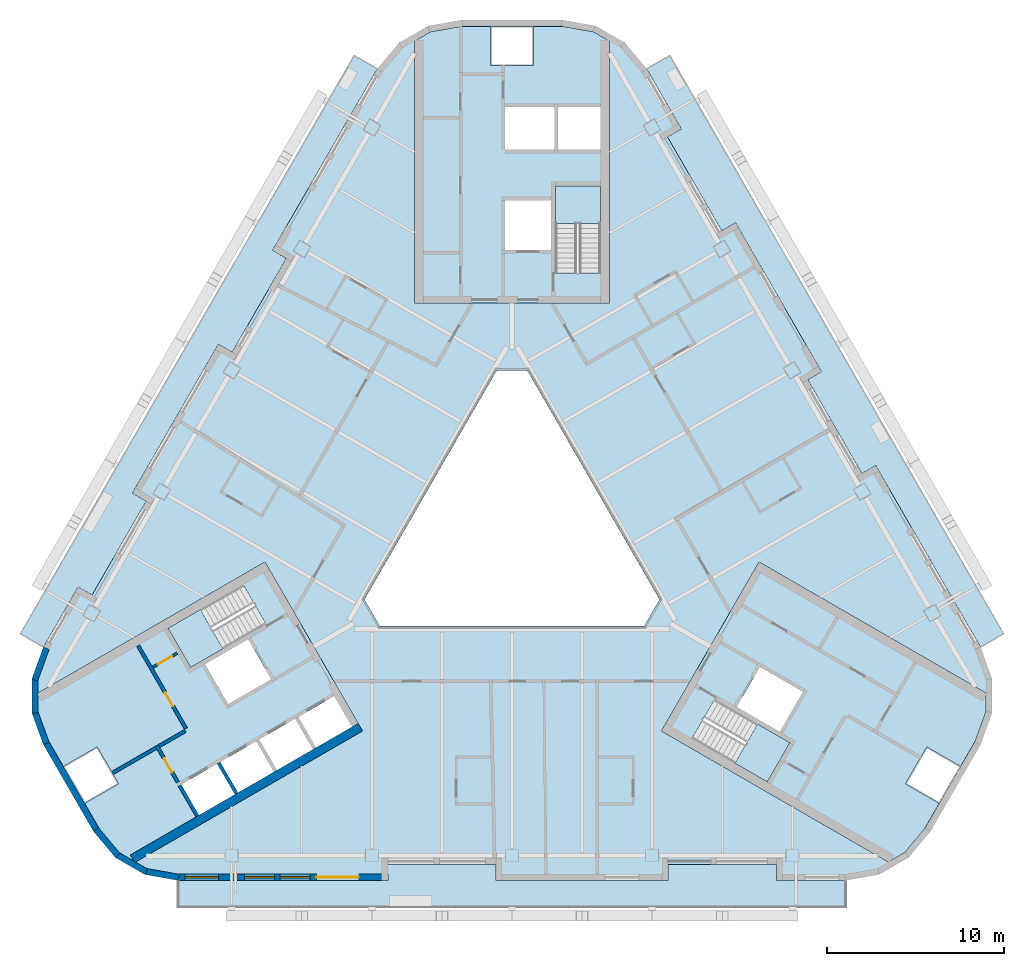
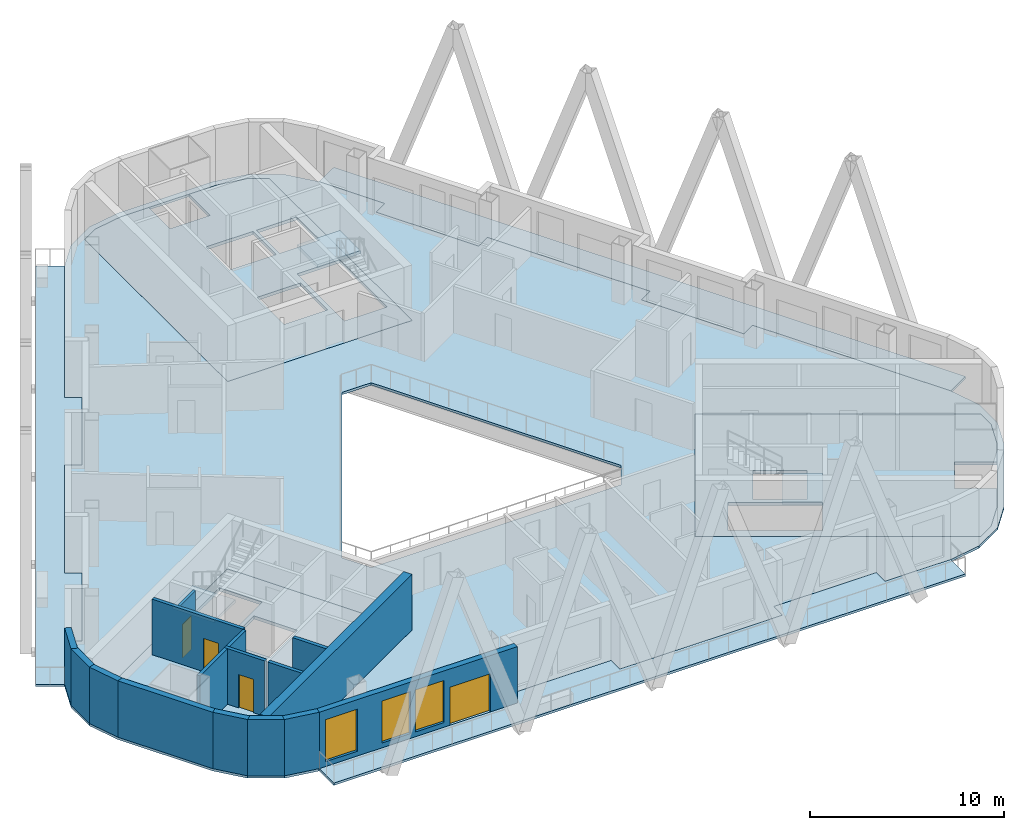
# One storey, part 2 of 13: 16 walls, 10 slabs, 4 doors, 3 windows, 7 openings, 3 elements without a shape of their own.
"""IFC4 building model written with IfcOpenShell, lengths in metres."""

from ifc_helpers import new_model, si_unit, direction, frame, frame_2d, origin, place, context, subcontext, project, spatial, polyline, rectangle, outline, extrude, material, layer, layer_set, type_object, element, fill, aggregate, save


model = new_model("IFC4")

# Units and contexts
model_context = context("Model", 3, precision=1e-05, world=origin(), true_north=direction((0.0, 1.0)))
body_context = subcontext(model_context, "Body", "Model", "MODEL_VIEW")
ifc_project = project(units=[si_unit("LENGTHUNIT", "METRE"), si_unit("AREAUNIT", "SQUARE_METRE"), si_unit("VOLUMEUNIT", "CUBIC_METRE"), si_unit("PLANEANGLEUNIT", "RADIAN"), si_unit("MASSUNIT", "GRAM", prefix="KILO")], contexts=[model_context])

# Site, building, storey
site_placement = place(None, origin())
site = spatial("IfcSite", under=ifc_project, at=site_placement, CompositionType="ELEMENT")
building_placement = place(site_placement, origin())
building = spatial("IfcBuilding", under=site, at=building_placement, Name="Apuvela Tower Hotel", CompositionType="ELEMENT")
storey_placement = place(building_placement, frame((0.0, 0.0, 191.0)))
storey = spatial("IfcBuildingStorey", under=building, at=storey_placement, Name="L46", CompositionType="ELEMENT", Elevation=191.0)

# Slabs
ifc_material_1 = material(Name="Concrete C50/60", Category="concrete")
ifc_layer_1 = layer(ifc_material_1, 0.199951171875)
ifc_layer_set_1 = layer_set([ifc_layer_1], Name="COR-FLOOR-200")
slab_type_1 = type_object("IfcSlabType", Name="COR-FLOOR-200", PredefinedType="FLOOR", material=ifc_layer_set_1)
slab_1_placement = place(storey_placement, frame((0.0, 0.0, -0.199951171875)))
element("IfcSlab", 1, at=slab_1_placement, inside=storey, type_object=slab_type_1, Name="Core floor N", PredefinedType="FLOOR", context=body_context, shape_type="SweptSolid", body=[
    extrude(outline(polyline([(5.5, 27.668212890625), (4.588623046875, 28.1943359375), (2.85498046875, 28.5), (1.199951171875, 28.5), (1.199951171875, 26.300048828125), (-1.199951171875, 26.300048828125), (-1.199951171875, 28.5), (-2.85498046875, 28.5), (-4.588623046875, 28.1943359375), (-5.5, 27.668212890625), (-5.5, 12.89990234375), (5.5, 12.89990234375), (5.5, 27.668212890625)]), holes=[polyline([(5.0, 14.60595703125), (2.449951171875, 14.60595703125), (2.449951171875, 19.5), (5.0, 19.5), (5.0, 14.60595703125)]), polyline([(2.199951171875, 15.89990234375), (-0.39990234375, 15.89990234375), (-0.39990234375, 18.699951171875), (2.199951171875, 18.699951171875), (2.199951171875, 15.89990234375)]), polyline([(5.0, 21.550048828125), (2.60009765625, 21.550048828125), (2.60009765625, 23.949951171875), (5.0, 23.949951171875), (5.0, 21.550048828125)]), polyline([(2.39990234375, 21.550048828125), (-0.39990234375, 21.550048828125), (-0.39990234375, 23.949951171875), (2.39990234375, 23.949951171875), (2.39990234375, 21.550048828125)])]), origin(), (0.0, 0.0, 1.0), 0.199951171875),
])
slab_2_placement = place(storey_placement, frame((0.0, 0.0, -0.199951171875)))
element("IfcSlab", 2, at=slab_2_placement, inside=storey, type_object=slab_type_1, Name="Core floor SW", PredefinedType="FLOOR", context=body_context, shape_type="SweptSolid", body=[
    extrude(outline(polyline([(-26.711181640625, -9.07080078125), (-26.711181640625, -10.123291015625), (-26.109375, -11.77734375), (-25.28173828125, -13.210693359375), (-23.37646484375, -12.11083984375), (-22.176513671875, -14.189208984375), (-24.081787109375, -15.289306640625), (-23.254150390625, -16.72265625), (-22.122802734375, -18.071044921875), (-21.211181640625, -18.59716796875), (-8.421630859375, -11.213134765625), (-13.921630859375, -1.68701171875), (-26.711181640625, -9.07080078125)]), holes=[polyline([(-10.01806640625, -9.248046875), (-9.01806640625, -10.97998046875), (-11.044677734375, -12.150146484375), (-12.044677734375, -10.418212890625), (-10.01806640625, -9.248046875)]), polyline([(-14.244384765625, -11.68798828125), (-12.2177734375, -10.51806640625), (-11.2177734375, -12.25), (-13.244384765625, -13.420166015625), (-14.244384765625, -11.68798828125)]), polyline([(-19.387451171875, -5.419921875), (-15.149169921875, -2.972900390625), (-13.874267578125, -5.18115234375), (-18.112548828125, -7.628173828125), (-19.387451171875, -5.419921875)]), polyline([(-14.869873046875, -6.044677734375), (-13.56982421875, -8.29638671875), (-15.99462890625, -9.6962890625), (-17.294677734375, -7.444580078125), (-14.869873046875, -6.044677734375)]), polyline([(-16.444091796875, -12.9580078125), (-14.41748046875, -11.7880859375), (-13.41748046875, -13.52001953125), (-15.444091796875, -14.690185546875), (-16.444091796875, -12.9580078125)]), polyline([(-18.643798828125, -14.22802734375), (-16.6171875, -13.05810546875), (-15.6171875, -14.7900390625), (-17.643798828125, -15.960205078125), (-18.643798828125, -14.22802734375)])]), origin(), (0.0, 0.0, 1.0), 0.199951171875),
])
slab_3_placement = place(storey_placement, frame((0.0, 0.0, -0.199951171875)))
element("IfcSlab", 3, at=slab_3_placement, inside=storey, type_object=slab_type_1, Name="Core floor SE", PredefinedType="FLOOR", context=body_context, shape_type="SweptSolid", body=[
    extrude(outline(polyline([(21.211181640625, -18.59716796875), (22.122802734375, -18.071044921875), (23.254150390625, -16.72265625), (24.081787109375, -15.289306640625), (22.176513671875, -14.189208984375), (23.37646484375, -12.11083984375), (25.28173828125, -13.210693359375), (26.109375, -11.77734375), (26.711181640625, -10.123291015625), (26.711181640625, -9.07080078125), (13.921630859375, -1.68701171875), (8.421630859375, -11.213134765625), (21.211181640625, -18.59716796875)]), holes=[polyline([(11.42431640625, -9.4248046875), (15.66259765625, -11.871826171875), (14.387451171875, -14.080078125), (10.149169921875, -11.633056640625), (11.42431640625, -9.4248046875)]), polyline([(13.9697265625, -7.603515625), (16.394775390625, -9.003662109375), (15.0947265625, -11.25537109375), (12.669921875, -9.855224609375), (13.9697265625, -7.603515625)])]), origin(), (0.0, 0.0, 1.0), 0.199951171875),
])

# Stair, slab
stair_type = type_object("IfcStairType", Name="COR-STAIR-22R", PredefinedType="HALF_TURN_STAIR", material=ifc_material_1)
stair_1_placement = place(storey_placement, origin())
stair_1 = element("IfcStair", 4, at=stair_1_placement, inside=storey, type_object=stair_type, Name="L46 Exit stair ST1", PredefinedType="HALF_TURN_STAIR")
ifc_layer_2 = layer(ifc_material_1, 0.199951171875)
ifc_layer_set_2 = layer_set([ifc_layer_2], Name="COR-LANDING-200")
slab_type_2 = type_object("IfcSlabType", Name="COR-LANDING-200", PredefinedType="LANDING", material=ifc_layer_set_2)
slab_4_placement = place(storey_placement, frame((0.0, 0.0, 1.64990234375)))
slab_4 = element("IfcSlab", 5, at=slab_4_placement, type_object=slab_type_2, Name="ST1 landing 1", PredefinedType="LANDING", context=body_context, shape_type="SweptSolid", body=[
    extrude(outline(polyline([(5.0, 17.39404296875), (5.0, 19.5), (2.449951171875, 19.5), (2.449951171875, 17.39404296875), (5.0, 17.39404296875)])), origin(), (0.0, 0.0, 1.0), 0.2001953125),
])
aggregate(stair_1, [slab_4])

stair_2_placement = place(storey_placement, origin())
stair_2 = element("IfcStair", 6, at=stair_2_placement, inside=storey, type_object=stair_type, Name="L46 Exit stair ST2", PredefinedType="HALF_TURN_STAIR")
slab_5_placement = place(storey_placement, frame((0.0, 0.0, 1.64990234375)))
slab_5 = element("IfcSlab", 7, at=slab_5_placement, type_object=slab_type_2, Name="ST2 landing 1", PredefinedType="LANDING", context=body_context, shape_type="SweptSolid", body=[
    extrude(outline(polyline([(-17.563720703125, -4.366943359375), (-19.387451171875, -5.419921875), (-18.112548828125, -7.628173828125), (-16.28857421875, -6.5751953125), (-17.563720703125, -4.366943359375)])), origin(), (0.0, 0.0, 1.0), 0.2001953125),
])
aggregate(stair_2, [slab_5])

stair_3_placement = place(storey_placement, origin())
stair_3 = element("IfcStair", 8, at=stair_3_placement, inside=storey, type_object=stair_type, Name="L46 Exit stair ST3", PredefinedType="HALF_TURN_STAIR")
slab_6_placement = place(storey_placement, frame((0.0, 0.0, 1.64990234375)))
slab_6 = element("IfcSlab", 9, at=slab_6_placement, type_object=slab_type_2, Name="ST3 landing 1", PredefinedType="LANDING", context=body_context, shape_type="SweptSolid", body=[
    extrude(outline(polyline([(12.563720703125, -13.027099609375), (14.387451171875, -14.080078125), (15.66259765625, -11.871826171875), (13.838623046875, -10.81884765625), (12.563720703125, -13.027099609375)])), origin(), (0.0, 0.0, 1.0), 0.2001953125),
])
aggregate(stair_3, [slab_6])

# Slabs
ifc_material_2 = material(Name="Concrete C40/50, fair-faced", Category="concrete")
ifc_layer_3 = layer(ifc_material_2, 0.14990234375)
ifc_layer_set_3 = layer_set([ifc_layer_3], Name="ENV-BALCONY-150")
slab_type_3 = type_object("IfcSlabType", Name="ENV-BALCONY-150", PredefinedType="FLOOR", material=ifc_layer_set_3)
slab_7_placement = place(storey_placement, frame((0.0, 0.0, -0.14990234375)))
element("IfcSlab", 10, at=slab_7_placement, inside=storey, type_object=slab_type_3, Name="Balcony slab S L46", PredefinedType="FLOOR", context=body_context, shape_type="SweptSolid", body=[
    extrude(outline(polyline([(18.82080078125, -21.135009765625), (-18.82080078125, -21.135009765625), (-18.82080078125, -19.625), (-7.0048828125, -19.625), (-7.0048828125, -18.72509765625), (-0.89501953125, -18.72509765625), (-0.89501953125, -19.625), (8.794921875, -19.625), (8.794921875, -18.72509765625), (14.905029296875, -18.72509765625), (14.905029296875, -19.625), (18.82080078125, -19.625), (18.82080078125, -21.135009765625)])), origin(), (0.0, 0.0, 1.0), 0.14990234375),
])
slab_8_placement = place(storey_placement, frame((0.0, 0.0, -0.14990234375)))
element("IfcSlab", 11, at=slab_8_placement, inside=storey, type_object=slab_type_3, Name="Balcony slab NE L46", PredefinedType="FLOOR", context=body_context, shape_type="SweptSolid", body=[
    extrude(outline(polyline([(17.443359375, 9.037353515625), (12.598388671875, 17.42919921875), (11.81884765625, 16.979248046875), (8.763916015625, 22.2705078125), (9.543212890625, 22.720703125), (7.585205078125, 26.11181640625), (8.89306640625, 26.86669921875), (27.7138671875, -5.731689453125), (26.40625, -6.48681640625), (20.498291015625, 3.74609375), (19.71875, 3.2958984375), (16.663818359375, 8.58740234375), (17.443359375, 9.037353515625)])), origin(), (0.0, 0.0, 1.0), 0.14990234375),
])
slab_9_placement = place(storey_placement, frame((0.0, 0.0, -0.14990234375)))
element("IfcSlab", 12, at=slab_9_placement, inside=storey, type_object=slab_type_3, Name="Balcony slab NW L46", PredefinedType="FLOOR", context=body_context, shape_type="SweptSolid", body=[
    extrude(outline(polyline([(-27.7138671875, -5.731689453125), (-8.89306640625, 26.86669921875), (-7.585205078125, 26.11181640625), (-13.4931640625, 15.87890625), (-12.7138671875, 15.428955078125), (-15.768798828125, 10.1376953125), (-16.548095703125, 10.587646484375), (-21.393310546875, 2.19580078125), (-20.61376953125, 1.745849609375), (-23.668701171875, -3.545654296875), (-24.4482421875, -3.095703125), (-26.40625, -6.48681640625), (-27.7138671875, -5.731689453125)])), origin(), (0.0, 0.0, 1.0), 0.14990234375),
])
ifc_material_3 = material(Name="Concrete C35/45", Category="concrete")
ifc_layer_4 = layer(ifc_material_3, 0.14990234375)
ifc_layer_set_4 = layer_set([ifc_layer_4], Name="STR-SLAB 150 floor Concrete C35/45")
slab_type_4 = type_object("IfcSlabType", Name="STR-SLAB 150 floor Concrete C35/45", PredefinedType="FLOOR", material=ifc_layer_set_4)
slab_10_placement = place(storey_placement, frame((0.0, 0.0, -0.14990234375)))
element("IfcSlab", 13, at=slab_10_placement, inside=storey, type_object=slab_type_4, Name="Floor slab S4 L46", PredefinedType="FLOOR", context=body_context, shape_type="SweptSolid", body=[
    extrude(outline(polyline([(-6.3642578125, 27.5732421875), (-4.710205078125, 28.5283203125), (-2.8291015625, 28.860107421875), (2.8291015625, 28.860107421875), (4.710205078125, 28.5283203125), (6.3642578125, 27.5732421875), (7.59228515625, 26.110107421875), (9.550048828125, 22.71875), (8.770751953125, 22.268798828125), (11.82080078125, 16.986083984375), (12.60009765625, 17.43603515625), (17.4501953125, 9.035400390625), (16.670654296875, 8.58544921875), (19.720703125, 3.302734375), (20.5, 3.752685546875), (26.407958984375, -6.47998046875), (27.061279296875, -8.27490234375), (27.061279296875, -10.18505859375), (26.407958984375, -11.97998046875), (23.5791015625, -16.8798828125), (22.351318359375, -18.34326171875), (20.697021484375, -19.29833984375), (18.81591796875, -19.6298828125), (14.89990234375, -19.6298828125), (14.89990234375, -18.72998046875), (8.800048828125, -18.72998046875), (8.800048828125, -19.6298828125), (-0.89990234375, -19.6298828125), (-0.89990234375, -18.72998046875), (-7.0, -18.72998046875), (-7.0, -19.6298828125), (-18.81591796875, -19.6298828125), (-20.697021484375, -19.29833984375), (-22.351318359375, -18.34326171875), (-23.5791015625, -16.8798828125), (-26.407958984375, -11.97998046875), (-27.061279296875, -10.18505859375), (-27.061279296875, -8.27490234375), (-26.407958984375, -6.47998046875), (-24.4501953125, -3.088623046875), (-23.670654296875, -3.538818359375), (-20.62060546875, 1.743896484375), (-21.400146484375, 2.194091796875), (-16.550048828125, 10.594482421875), (-15.7705078125, 10.14453125), (-12.720703125, 15.42724609375), (-13.5, 15.877197265625), (-7.59228515625, 26.110107421875), (-6.3642578125, 27.5732421875)]), holes=[polyline([(0.865966796875, 9.10009765625), (-0.865966796875, 9.10009765625), (-8.313720703125, -3.800048828125), (-7.44775390625, -5.300048828125), (7.44775390625, -5.300048828125), (8.313720703125, -3.800048828125), (0.865966796875, 9.10009765625)]), polyline([(-5.5, 12.89990234375), (-5.5, 27.668212890625), (-4.588623046875, 28.1943359375), (-2.85498046875, 28.5), (2.85498046875, 28.5), (4.588623046875, 28.1943359375), (5.5, 27.668212890625), (5.5, 12.89990234375), (-5.5, 12.89990234375)]), polyline([(-8.421630859375, -11.213134765625), (-21.211181640625, -18.59716796875), (-22.122802734375, -18.071044921875), (-23.254150390625, -16.72265625), (-26.109375, -11.77734375), (-26.711181640625, -10.123291015625), (-26.711181640625, -9.07080078125), (-13.921630859375, -1.68701171875), (-8.421630859375, -11.213134765625)]), polyline([(13.921630859375, -1.68701171875), (26.711181640625, -9.07080078125), (26.711181640625, -10.123291015625), (26.109375, -11.77734375), (23.254150390625, -16.72265625), (22.122802734375, -18.071044921875), (21.211181640625, -18.59716796875), (8.421630859375, -11.213134765625), (13.921630859375, -1.68701171875)])]), origin(), (0.0, 0.0, 1.0), 0.14990234375),
])

# Wall
ifc_layer_5 = layer(ifc_material_1, 0.5)
ifc_layer_set_5 = layer_set([ifc_layer_5], Name="COR-WALL-CORE-500")
wall_type_1 = type_object("IfcWallType", Name="COR-WALL-CORE-500", PredefinedType="SHEAR", material=ifc_layer_set_5)
wall_1_placement = place(storey_placement, frame((-8.546630859375, -10.99658203125, 0.0), z_axis=(0.0, 0.0, 1.0), x_axis=(-0.866025009528, -0.500000682871, 0.0)))
element("IfcWall", 14, at=wall_1_placement, inside=storey, type_object=wall_type_1, Name="Core wall SW", PredefinedType="SHEAR", context=body_context, shape_type="SweptSolid", body=[
    extrude(rectangle(XDim=14.8369140625, YDim=0.5, at=frame_2d((7.41845703125, 0.0))), origin(), (0.0, 0.0, 1.0), 3.5),
])

# Wall, opening, door
ifc_material_4 = material(Name="Blockwork 150 mm plastered", Category="masonry")
ifc_layer_6 = layer(ifc_material_4, 0.14990234375)
ifc_layer_set_6 = layer_set([ifc_layer_6], Name="COR-WALL-PART-150")
wall_type_2 = type_object("IfcWallType", Name="COR-WALL-PART-150", PredefinedType="PARTITIONING", material=ifc_layer_set_6)
wall_2_placement = place(storey_placement, frame((-18.866455078125, -6.822265625, 0.0), z_axis=(0.0, 0.0, 1.0), x_axis=(-0.866028054938, -0.499995408039, 0.0)))
wall_2 = element("IfcWall", 15, at=wall_2_placement, inside=storey, type_object=wall_type_2, Name="Partition SW", PredefinedType="PARTITIONING", context=body_context, shape_type="SweptSolid", body=[
    extrude(rectangle(XDim=1.60009765625, YDim=0.14990234375, at=frame_2d((0.800048828125, 0.0))), origin(), (0.0, 0.0, 1.0), 3.5),
])
opening_1_placement = place(wall_2_placement, frame((0.35009765625, 0.0, 0.0)))
opening_1 = element("IfcOpeningElement", 16, at=opening_1_placement, cuts=wall_2, Name="Opening W-RD", PredefinedType="OPENING", context=body_context, shape_type="SweptSolid", body=[
    extrude(rectangle(XDim=0.89990234375, YDim=2.10009765625, at=frame_2d((0.449951171875, 1.050048828125))), frame((0.0, 0.0849609375, 0.0), z_axis=(0.0, -1.0, 0.0), x_axis=(1.0, 0.0, 0.0)), (0.0, 0.0, 1.0), 0.169921875),
])
ifc_material_5 = material(Name="Steel access door, powder coated", Category="steel")
door_type_1 = type_object("IfcDoorType", Name="COR-RD-900", OperationType="NOTDEFINED", PredefinedType="DOOR", material=ifc_material_5)
door_1_placement = place(opening_1_placement, frame((0.89990234375, 0.0, 0.0), z_axis=(0.0, 0.0, 1.0), x_axis=(-1.0, 0.0, 0.0)))
door_1 = element("IfcDoor", 17, at=door_1_placement, inside=storey, type_object=door_type_1, Name="Riser door W-RD", OperationType="SINGLE_SWING_RIGHT", OverallHeight=2.10009765625, OverallWidth=0.89990234375, PredefinedType="DOOR", context=body_context, shape_type="SweptSolid", body=[
    extrude(rectangle(XDim=0.89990234375, YDim=2.10009765625, at=frame_2d((0.449951171875, 1.050048828125))), frame((0.0, 0.02490234375, 0.0), z_axis=(0.0, -1.0, 0.0), x_axis=(1.0, 0.0, 0.0)), (0.0, 0.0, 1.0), 0.050048828125),
])
fill(opening_1, door_1)

ifc_material_6 = material(Name="Blockwork 200 mm plastered", Category="masonry")
ifc_layer_7 = layer(ifc_material_6, 0.199951171875)
ifc_layer_set_7 = layer_set([ifc_layer_7], Name="COR-WALL-PART-200")
wall_type_3 = type_object("IfcWallType", Name="COR-WALL-PART-200", PredefinedType="PARTITIONING", material=ifc_layer_set_7)
wall_3_placement = place(storey_placement, frame((-21.076171875, -6.39501953125, 0.0), z_axis=(0.0, 0.0, 1.0), x_axis=(0.50001468107, -0.866016927499, 0.0)))
wall_3 = element("IfcWall", 18, at=wall_3_placement, inside=storey, type_object=wall_type_3, Name="Partition SW", PredefinedType="PARTITIONING", context=body_context, shape_type="SweptSolid", body=[
    extrude(rectangle(XDim=5.399658203125, YDim=0.199951171875, at=frame_2d((2.69970703125, 0.0))), origin(), (0.0, 0.0, 1.0), 3.5),
])
opening_2_placement = place(wall_3_placement, frame((3.050048828125, 0.0, 0.0)))
opening_2 = element("IfcOpeningElement", 19, at=opening_2_placement, cuts=wall_3, Name="Opening W-RS1", PredefinedType="OPENING", context=body_context, shape_type="SweptSolid", body=[
    extrude(rectangle(XDim=0.89990234375, YDim=2.10009765625, at=frame_2d((0.449951171875, 1.050048828125))), frame((0.0, 0.10986328125, 0.0), z_axis=(0.0, -1.0, 0.0), x_axis=(1.0, 0.0, 0.0)), (0.0, 0.0, 1.0), 0.219970703125),
])
ifc_material_7 = material(Name="Steel fire door, powder coated", Category="steel")
door_type_2 = type_object("IfcDoorType", Name="COR-DR-900", OperationType="NOTDEFINED", PredefinedType="DOOR", material=ifc_material_7)
door_2_placement = place(opening_2_placement, frame((0.89990234375, 0.0, 0.0), z_axis=(0.0, 0.0, 1.0), x_axis=(-1.0, 0.0, 0.0)))
door_2 = element("IfcDoor", 20, at=door_2_placement, inside=storey, type_object=door_type_2, Name="Store door W-RS1", OperationType="SINGLE_SWING_LEFT", OverallHeight=2.10009765625, OverallWidth=0.89990234375, PredefinedType="DOOR", context=body_context, shape_type="SweptSolid", body=[
    extrude(rectangle(XDim=0.89990234375, YDim=2.10009765625, at=frame_2d((0.449951171875, 1.050048828125))), frame((0.0, 0.02490234375, 0.0), z_axis=(0.0, -1.0, 0.0), x_axis=(1.0, 0.0, 0.0)), (0.0, 0.0, 1.0), 0.050048828125),
])
fill(opening_2, door_2)

ifc_layer_8 = layer(ifc_material_1, 0.199951171875)
ifc_layer_set_8 = layer_set([ifc_layer_8], Name="COR-WALL-SHAFT-200")
wall_type_4 = type_object("IfcWallType", Name="COR-WALL-SHAFT-200", PredefinedType="SHEAR", material=ifc_layer_set_8)
wall_4_placement = place(storey_placement, frame((-20.030517578125, -12.0263671875, 0.0), z_axis=(0.0, 0.0, 1.0), x_axis=(0.500033551112, -0.866006032174, 0.0)))
wall_4 = element("IfcWall", 21, at=wall_4_placement, inside=storey, type_object=wall_type_4, Name="Shaft wall SW", PredefinedType="SHEAR", context=body_context, shape_type="SweptSolid", body=[
    extrude(rectangle(XDim=2.400146484375, YDim=0.199951171875, at=frame_2d((1.2001953125, 0.0))), origin(), (0.0, 0.0, 1.0), 3.5),
])
opening_3_placement = place(wall_4_placement, frame((0.85009765625, 0.0, 0.0)))
opening_3 = element("IfcOpeningElement", 22, at=opening_3_placement, cuts=wall_4, Name="Opening W-REP", PredefinedType="OPENING", context=body_context, shape_type="SweptSolid", body=[
    extrude(rectangle(XDim=0.89990234375, YDim=2.10009765625, at=frame_2d((0.449951171875, 1.050048828125))), frame((0.0, 0.10986328125, 0.0), z_axis=(0.0, -1.0, 0.0), x_axis=(1.0, 0.0, 0.0)), (0.0, 0.0, 1.0), 0.219970703125),
])
door_3_placement = place(opening_3_placement, frame((0.89990234375, 0.0, 0.0), z_axis=(0.0, 0.0, 1.0), x_axis=(-1.0, 0.0, 0.0)))
door_3 = element("IfcDoor", 23, at=door_3_placement, inside=storey, type_object=door_type_2, Name="Store door W-REP", OperationType="SINGLE_SWING_LEFT", OverallHeight=2.10009765625, OverallWidth=0.89990234375, PredefinedType="DOOR", context=body_context, shape_type="SweptSolid", body=[
    extrude(rectangle(XDim=0.89990234375, YDim=2.10009765625, at=frame_2d((0.449951171875, 1.050048828125))), frame((0.0, 0.02490234375, 0.0), z_axis=(0.0, -1.0, 0.0), x_axis=(1.0, 0.0, 0.0)), (0.0, 0.0, 1.0), 0.050048828125),
])
fill(opening_3, door_3)

# Walls
wall_5_placement = place(storey_placement, frame((-18.412841796875, -11.2080078125, 0.0), z_axis=(0.0, 0.0, 1.0), x_axis=(-0.866038183914, -0.499977863513, 0.0)))
element("IfcWall", 24, at=wall_5_placement, inside=storey, type_object=wall_type_4, Name="Shaft wall SW", PredefinedType="SHEAR", context=body_context, shape_type="SweptSolid", body=[
    extrude(rectangle(XDim=1.7099609375, YDim=0.199951171875, at=frame_2d((0.85498046875, 0.0))), origin(), (0.0, 0.0, 1.0), 3.5),
])
for number, where, z_axis, x_axis, name in (
    (25, (-16.530517578125, -13.008056640625, 0.0), (0.0, 0.0, 1.0), (0.50002537861, -0.866010750942, 0.0), "Shaft wall SW"),
    (26, (-18.73046875, -14.278076171875, 0.0), (0.0, 0.0, 1.0), (0.50002537861, -0.866010750942, 0.0), "Shaft wall SW"),
):
    element("IfcWall", number, at=place(storey_placement, frame(where, z_axis=z_axis, x_axis=x_axis)), inside=storey, type_object=wall_type_4, Name=name, PredefinedType="SHEAR", context=body_context, shape_type="SweptSolid", body=[
        extrude(rectangle(XDim=2.0, YDim=0.199951171875, at=frame_2d((1.0, 0.0))), origin(), (0.0, 0.0, 1.0), 3.5),
    ])
wall_6_placement = place(storey_placement, frame((-20.06689453125, -12.1630859375, 0.0), z_axis=(0.0, 0.0, 1.0), x_axis=(-0.866055327414, -0.49994816717, 0.0)))
element("IfcWall", 27, at=wall_6_placement, inside=storey, type_object=wall_type_4, Name="Shaft wall SW", PredefinedType="SHEAR", context=body_context, shape_type="SweptSolid", body=[
    extrude(rectangle(XDim=2.840087890625, YDim=0.199951171875, at=frame_2d((1.419921875, 0.0))), origin(), (0.0, 0.0, 1.0), 3.5),
])
ifc_material_8 = material(Name="Concrete C40/50, dark pigmented precast panel", Category="concrete")
ifc_layer_9 = layer(ifc_material_8, 0.35009765625)
ifc_layer_set_9 = layer_set([ifc_layer_9], Name="ENV-WALL-350")
wall_type_5 = type_object("IfcWallType", Name="ENV-WALL-350", PredefinedType="SOLIDWALL", material=ifc_layer_set_9)
for number, where, z_axis, x_axis, name in (
    (28, (-26.24365234375, -6.539794921875, 0.0), (0.0, 0.0, 1.0), (-0.342030395486, -0.939688889242, 0.0), "External wall L46-10"),
    (29, (-26.88623046875, -8.27490234375, 0.0), (0.0, 0.0, 1.0), (0.0, -1.0, 0.0), "External wall L46-11"),
    (30, (-26.89697265625, -10.125244140625, 0.0), (0.0, 0.0, 1.0), (0.342030395486, -0.939688889242, 0.0), "External wall L46-12"),
):
    element("IfcWall", number, at=place(storey_placement, frame(where, z_axis=z_axis, x_axis=x_axis)), inside=storey, type_object=wall_type_5, Name=name, PredefinedType="SOLIDWALL", context=body_context, shape_type="SweptSolid", body=[
        extrude(rectangle(XDim=1.91015625, YDim=0.35009765625, at=frame_2d((0.955078125, 0.0))), origin(), (0.0, 0.0, 1.0), 3.550048828125),
    ])
wall_7_placement = place(storey_placement, frame((-26.256591796875, -11.892578125, 0.0), z_axis=(0.0, 0.0, 1.0), x_axis=(0.500018773155, -0.866014564827, 0.0)))
element("IfcWall", 31, at=wall_7_placement, inside=storey, type_object=wall_type_5, Name="External wall L46-13", PredefinedType="SOLIDWALL", context=body_context, shape_type="SweptSolid", body=[
    extrude(rectangle(XDim=5.657958984375, YDim=0.35009765625, at=frame_2d((2.8291015625, 0.0))), origin(), (0.0, 0.0, 1.0), 3.550048828125),
])
for number, where, z_axis, x_axis, name in (
    (32, (-23.44482421875, -16.767578125, 0.0), (0.0, 0.0, 1.0), (0.642733291068, -0.76609001857, 0.0), "External wall L46-14"),
    (33, (-22.263671875, -18.191650390625, 0.0), (0.0, 0.0, 1.0), (0.866000389056, -0.500043324278, 0.0), "External wall L46-15"),
):
    element("IfcWall", number, at=place(storey_placement, frame(where, z_axis=z_axis, x_axis=x_axis)), inside=storey, type_object=wall_type_5, Name=name, PredefinedType="SOLIDWALL", context=body_context, shape_type="SweptSolid", body=[
        extrude(rectangle(XDim=1.909912109375, YDim=0.35009765625, at=frame_2d((0.955078125, 0.0))), origin(), (0.0, 0.0, 1.0), 3.550048828125),
    ])
wall_8_placement = place(storey_placement, frame((-20.66650390625, -19.1259765625, 0.0), z_axis=(0.0, 0.0, 1.0), x_axis=(0.984798995425, -0.173697837091, 0.0)))
element("IfcWall", 34, at=wall_8_placement, inside=storey, type_object=wall_type_5, Name="External wall L46-16", PredefinedType="SOLIDWALL", context=body_context, shape_type="SweptSolid", body=[
    extrude(rectangle(XDim=1.91015625, YDim=0.35009765625, at=frame_2d((0.955078125, 0.0))), origin(), (0.0, 0.0, 1.0), 3.550048828125),
])

# Wall, openings, door, windows
wall_9_placement = place(storey_placement, frame((-18.81591796875, -19.455078125, 0.0), z_axis=(0.0, 0.0, 1.0), x_axis=(1.0, 0.0, 0.0)))
wall_9 = element("IfcWall", 35, at=wall_9_placement, inside=storey, type_object=wall_type_5, Name="External wall L46-17", PredefinedType="SOLIDWALL", context=body_context, shape_type="SweptSolid", body=[
    extrude(rectangle(XDim=11.81591796875, YDim=0.35009765625, at=frame_2d((5.907958984375, 0.0))), origin(), (0.0, 0.0, 1.0), 3.550048828125),
])
opening_4_placement = place(wall_9_placement, frame((0.380615234375, 0.0, 0.300048828125)))
opening_4 = element("IfcOpeningElement", 36, at=opening_4_placement, cuts=wall_9, Name="Opening WN19", PredefinedType="OPENING", context=body_context, shape_type="SweptSolid", body=[
    extrude(rectangle(XDim=1.89990234375, YDim=2.64990234375, at=frame_2d((0.949951171875, 1.324951171875))), frame((0.0, 0.18505859375, 0.0), z_axis=(0.0, -1.0, 0.0), x_axis=(1.0, 0.0, 0.0)), (0.0, 0.0, 1.0), 0.3701171875),
])
opening_5_placement = place(wall_9_placement, frame((7.790283203125, 0.0, 0.0)))
opening_5 = element("IfcOpeningElement", 37, at=opening_5_placement, cuts=wall_9, Name="Opening BD24", PredefinedType="OPENING", context=body_context, shape_type="SweptSolid", body=[
    extrude(rectangle(XDim=2.39990234375, YDim=2.39990234375, at=frame_2d((1.199951171875, 1.199951171875))), frame((0.0, 0.18505859375, 0.0), z_axis=(0.0, -1.0, 0.0), x_axis=(1.0, 0.0, 0.0)), (0.0, 0.0, 1.0), 0.3701171875),
])
opening_6_placement = place(wall_9_placement, frame((3.740966796875, 0.0, 0.300048828125)))
opening_6 = element("IfcOpeningElement", 38, at=opening_6_placement, cuts=wall_9, Name="Opening WN17", PredefinedType="OPENING", context=body_context, shape_type="SweptSolid", body=[
    extrude(rectangle(XDim=1.699951171875, YDim=2.64990234375, at=frame_2d((0.85009765625, 1.324951171875))), frame((0.0, 0.18505859375, 0.0), z_axis=(0.0, -1.0, 0.0), x_axis=(1.0, 0.0, 0.0)), (0.0, 0.0, 1.0), 0.3701171875),
])
opening_7_placement = place(wall_9_placement, frame((5.740966796875, 0.0, 0.300048828125)))
opening_7 = element("IfcOpeningElement", 39, at=opening_7_placement, cuts=wall_9, Name="Opening WN17", PredefinedType="OPENING", context=body_context, shape_type="SweptSolid", body=[
    extrude(rectangle(XDim=1.699951171875, YDim=2.64990234375, at=frame_2d((0.85009765625, 1.324951171875))), frame((0.0, 0.18505859375, 0.0), z_axis=(0.0, -1.0, 0.0), x_axis=(1.0, 0.0, 0.0)), (0.0, 0.0, 1.0), 0.3701171875),
])
ifc_material_9 = material(Name="Aluminium 6063-T6, dark bronze anodised frame with dark tinted laminated glass", Category="aluminium")
door_type_3 = type_object("IfcDoorType", Name="ENV-DOOR-BALCONY-2400x2400", OperationType="SLIDING_TO_LEFT", PredefinedType="DOOR", material=ifc_material_9)
door_4_placement = place(opening_5_placement, frame((2.39990234375, 0.0, 0.0), z_axis=(0.0, 0.0, 1.0), x_axis=(-1.0, 0.0, 0.0)))
door_4 = element("IfcDoor", 40, at=door_4_placement, inside=storey, type_object=door_type_3, Name="Balcony door BD24", OperationType="SLIDING_TO_LEFT", OverallHeight=2.39990234375, OverallWidth=2.39990234375, PredefinedType="DOOR", context=body_context, shape_type="SweptSolid", body=[
    extrude(rectangle(XDim=2.39990234375, YDim=2.39990234375, at=frame_2d((1.199951171875, 1.199951171875))), frame((0.0, 0.02490234375, 0.0), z_axis=(0.0, -1.0, 0.0), x_axis=(1.0, 0.0, 0.0)), (0.0, 0.0, 1.0), 0.050048828125),
])
fill(opening_5, door_4)
ifc_material_10 = material(Name="Glass, dark tinted laminated insulated glazing unit", Category="glass")
window_type_1 = type_object("IfcWindowType", Name="ENV-WIN-1700x2650", PartitioningType="SINGLE_PANEL", PredefinedType="WINDOW", material=ifc_material_10)
window_1_placement = place(opening_6_placement, origin())
window_1 = element("IfcWindow", 41, at=window_1_placement, inside=storey, type_object=window_type_1, Name="Window WN17", OverallHeight=2.64990234375, OverallWidth=1.699951171875, PartitioningType="SINGLE_PANEL", PredefinedType="WINDOW", context=body_context, shape_type="SweptSolid", body=[
    extrude(rectangle(XDim=1.699951171875, YDim=2.64990234375, at=frame_2d((0.85009765625, 1.324951171875))), frame((0.0, 0.030029296875, 0.0), z_axis=(0.0, -1.0, 0.0), x_axis=(1.0, 0.0, 0.0)), (0.0, 0.0, 1.0), 0.06005859375),
])
fill(opening_6, window_1)
window_2_placement = place(opening_7_placement, origin())
window_2 = element("IfcWindow", 42, at=window_2_placement, inside=storey, type_object=window_type_1, Name="Window WN17", OverallHeight=2.64990234375, OverallWidth=1.699951171875, PartitioningType="SINGLE_PANEL", PredefinedType="WINDOW", context=body_context, shape_type="SweptSolid", body=[
    extrude(rectangle(XDim=1.699951171875, YDim=2.64990234375, at=frame_2d((0.85009765625, 1.324951171875))), frame((0.0, 0.030029296875, 0.0), z_axis=(0.0, -1.0, 0.0), x_axis=(1.0, 0.0, 0.0)), (0.0, 0.0, 1.0), 0.06005859375),
])
fill(opening_7, window_2)
window_type_2 = type_object("IfcWindowType", Name="ENV-WIN-1900x2650", PartitioningType="SINGLE_PANEL", PredefinedType="WINDOW", material=ifc_material_10)
window_3_placement = place(opening_4_placement, origin())
window_3 = element("IfcWindow", 43, at=window_3_placement, inside=storey, type_object=window_type_2, Name="Window WN19", OverallHeight=2.64990234375, OverallWidth=1.89990234375, PartitioningType="SINGLE_PANEL", PredefinedType="WINDOW", context=body_context, shape_type="SweptSolid", body=[
    extrude(rectangle(XDim=1.89990234375, YDim=2.64990234375, at=frame_2d((0.949951171875, 1.324951171875))), frame((0.0, 0.030029296875, 0.0), z_axis=(0.0, -1.0, 0.0), x_axis=(1.0, 0.0, 0.0)), (0.0, 0.0, 1.0), 0.06005859375),
])
fill(opening_4, window_3)

save(model, "model.ifc")
